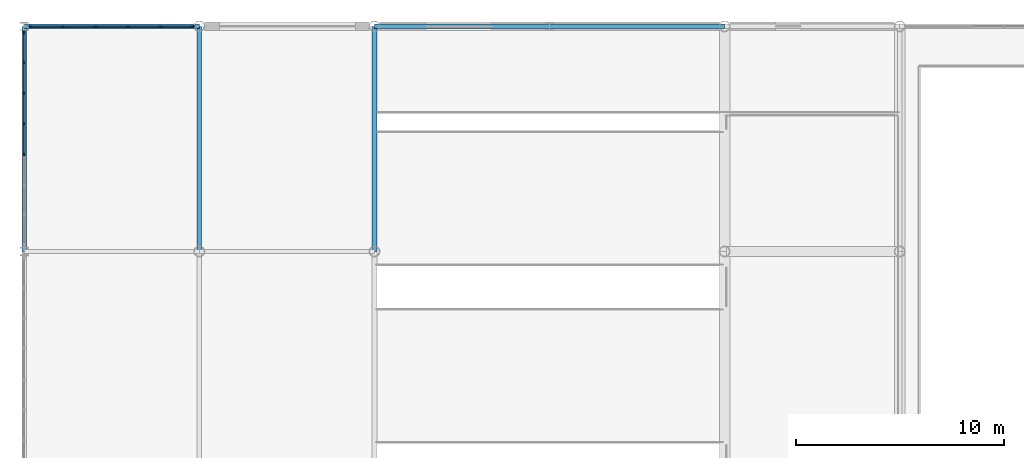
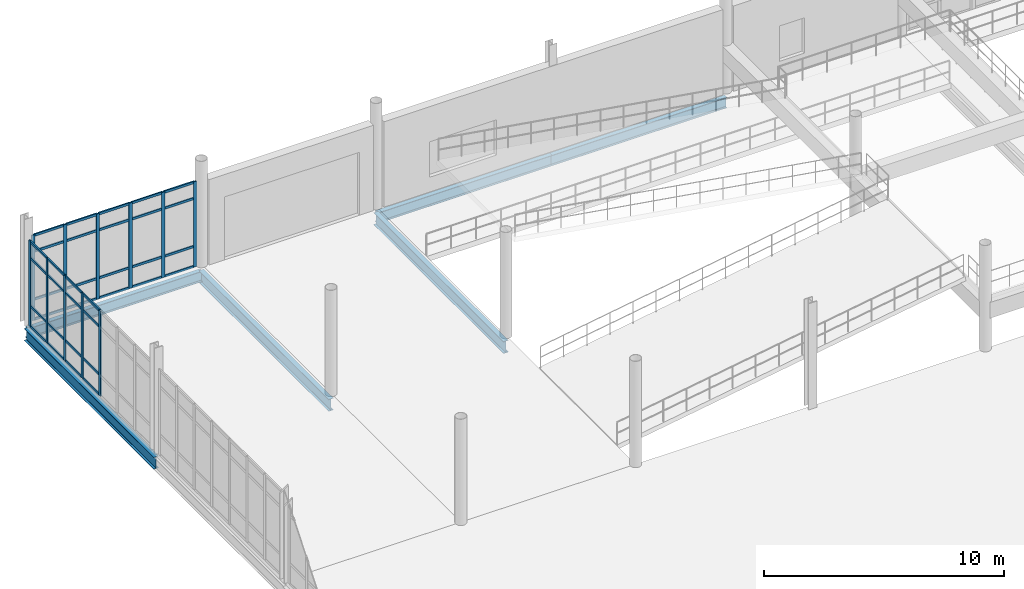
# One storey, part 51 of 111: 47 members, 6 beams, 2 elements without a shape of their own.
"""IFC4 building model written with IfcOpenShell, lengths in metres."""

from ifc_helpers import new_model, si_unit, direction, frame, origin, origin_2d, place, context, subcontext, project, spatial, rectangle, i_section, extrude, material, layer, layer_set, material_profile, profile_set, type_object, element, aggregate, save


model = new_model("IFC4")

# Units and contexts
model_context = context("Model", 3, precision=1e-05, world=origin(), true_north=direction((0.0, 1.0)))
body_context = subcontext(model_context, "Body", "Model", "MODEL_VIEW")
ifc_project = project(units=[si_unit("LENGTHUNIT", "METRE"), si_unit("AREAUNIT", "SQUARE_METRE"), si_unit("VOLUMEUNIT", "CUBIC_METRE"), si_unit("PLANEANGLEUNIT", "RADIAN"), si_unit("MASSUNIT", "GRAM", prefix="KILO"), si_unit("THERMODYNAMICTEMPERATUREUNIT", "KELVIN"), si_unit("POWERUNIT", "WATT")], contexts=[model_context])

# Site, building, storey
site_placement = place(None, origin())
site = spatial("IfcSite", under=ifc_project, at=site_placement, CompositionType="ELEMENT")
building_placement = place(site_placement, origin())
building = spatial("IfcBuilding", under=site, at=building_placement, Name="Tembeka Court Mobility Hub", CompositionType="ELEMENT")
storey_placement = place(building_placement, origin())
storey = spatial("IfcBuildingStorey", under=building, at=storey_placement, Name="L00", CompositionType="ELEMENT", Elevation=0.0)

# Beams
ifc_material_1 = material(Name="Steel S355", Category="steel")
ifc_material_profile_1 = material_profile(ifc_material_1, i_section(OverallWidth=0.22900390625, OverallDepth=0.612060546875, WebThickness=0.011962890625, FlangeThickness=0.01953125, FilletRadius=0.0126953125, at=origin_2d()), Name="UKB 610x229x125")
ifc_profile_set_1 = profile_set([ifc_material_profile_1], Name="Steel S355")
beam_type_1 = type_object("IfcBeamType", Name="BM-G02", PredefinedType="USERDEFINED", material=ifc_profile_set_1)
for number, where, z_axis, x_axis, name in (
    (1, (0.0, 108.0, -0.5859375), (0.0, 1.0, 0.0), (-1.0, 0.0, 0.0), "Beam G02 (BM-L00-Y0174)"),
    (2, (8.39990234375, 108.0, -0.5859375), (0.0, 1.0, 0.0), (-1.0, 0.0, 0.0), "Beam G02 (BM-L00-Y0185)"),
    (3, (16.800048828125, 108.0, -0.5859375), (0.0, 1.0, 0.0), (-1.0, 0.0, 0.0), "Beam G02 (BM-L00-Y0196)"),
):
    element("IfcBeam", number, at=place(storey_placement, frame(where, z_axis=z_axis, x_axis=x_axis)), inside=storey, type_object=beam_type_1, Name=name, ObjectType="GIRDER", PredefinedType="USERDEFINED", context=body_context, shape_type="SweptSolid", body=[
        extrude(i_section(OverallWidth=0.22900390625, OverallDepth=0.612060546875, WebThickness=0.011962890625, FlangeThickness=0.01953125, FilletRadius=0.0126953125, at=origin_2d()), origin(), (0.0, 0.0, 1.0), 10.800048828125),
    ])
ifc_material_profile_2 = material_profile(ifc_material_1, i_section(OverallWidth=0.2099609375, OverallDepth=0.537109375, WebThickness=0.0107421875, FlangeThickness=0.017333984375, FilletRadius=0.0126953125, at=origin_2d()), Name="UKB 533x210x101")
ifc_profile_set_2 = profile_set([ifc_material_profile_2], Name="Steel S355")
beam_type_2 = type_object("IfcBeamType", Name="BM-G03", PredefinedType="USERDEFINED", material=ifc_profile_set_2)
for number, where, z_axis, x_axis, name in (
    (4, (0.0, 118.800048828125, -0.548583984375), (1.0, 0.0, 0.0), (0.0, 1.0, 0.0), "Beam G03 (BM-L00-X0153)"),
    (5, (16.800048828125, 118.800048828125, -0.548583984375), (1.0, 0.0, 0.0), (0.0, 1.0, 0.0), "Beam G03 (BM-L00-X0154)"),
):
    element("IfcBeam", number, at=place(storey_placement, frame(where, z_axis=z_axis, x_axis=x_axis)), inside=storey, type_object=beam_type_2, Name=name, ObjectType="GIRDER", PredefinedType="USERDEFINED", context=body_context, shape_type="SweptSolid", body=[
        extrude(i_section(OverallWidth=0.2099609375, OverallDepth=0.537109375, WebThickness=0.0107421875, FlangeThickness=0.017333984375, FilletRadius=0.0126953125, at=origin_2d()), origin(), (0.0, 0.0, 1.0), 8.39990234375),
    ])
beam_placement = place(storey_placement, frame((25.199951171875, 118.800048828125, -0.548583984375), z_axis=(1.0, 0.0, 0.0), x_axis=(0.0, 1.0, 0.0)))
element("IfcBeam", 6, at=beam_placement, inside=storey, type_object=beam_type_2, Name="Beam G03 (BM-L00-X0155)", ObjectType="GIRDER", PredefinedType="USERDEFINED", context=body_context, shape_type="SweptSolid", body=[
    extrude(i_section(OverallWidth=0.2099609375, OverallDepth=0.537109375, WebThickness=0.0107421875, FlangeThickness=0.017333984375, FilletRadius=0.0126953125, at=origin_2d()), origin(), (0.0, 0.0, 1.0), 8.400146484375),
])

# Curtain wall, members
ifc_material_2 = material(Name="Anodised aluminium 6063-T6", Category="aluminium")
ifc_layer_1 = layer(ifc_material_2, 0.159912109375)
ifc_layer_set_1 = layer_set([ifc_layer_1], Name="Anodised aluminium 6063-T6")
curtain_wall_type_1 = type_object("IfcCurtainWallType", Name="CW-SYS01", PredefinedType="USERDEFINED", material=ifc_layer_set_1)
curtain_wall_1_placement = place(storey_placement, origin())
curtain_wall_1 = element("IfcCurtainWall", 7, at=curtain_wall_1_placement, inside=storey, type_object=curtain_wall_type_1, Name="Unitised curtain wall CW01 (CW-L00-011)", ObjectType="UNITISED GLAZING", PredefinedType="USERDEFINED")
ifc_material_profile_3 = material_profile(ifc_material_2, rectangle(XDim=0.06494140625, YDim=0.159912109375, at=origin_2d()), Name="ALU-MUL 65x160")
ifc_profile_set_3 = profile_set([ifc_material_profile_3], Name="Anodised aluminium 6063-T6")
member_type_1 = type_object("IfcMemberType", Name="CW-MUL01", PredefinedType="MULLION", material=ifc_profile_set_3)
member_1_placement = place(storey_placement, frame((0.3125, 118.800048828125, 0.0), z_axis=(0.0, 0.0, 1.0), x_axis=(0.0, 1.0, 0.0)))
member_1 = element("IfcMember", 8, at=member_1_placement, type_object=member_type_1, Name="CW01 mullion 1", PredefinedType="MULLION", context=body_context, shape_type="SweptSolid", body=[
    extrude(rectangle(XDim=0.06494140625, YDim=0.159912109375, at=origin_2d()), origin(), (0.0, 0.0, 1.0), 4.3349609375),
])
member_2_placement = place(storey_placement, frame((1.847900390625, 118.800048828125, 0.0), z_axis=(0.0, 0.0, 1.0), x_axis=(0.0, 1.0, 0.0)))
member_2 = element("IfcMember", 9, at=member_2_placement, type_object=member_type_1, Name="CW01 mullion 2", PredefinedType="MULLION", context=body_context, shape_type="SweptSolid", body=[
    extrude(rectangle(XDim=0.06494140625, YDim=0.159912109375, at=origin_2d()), origin(), (0.0, 0.0, 1.0), 4.3349609375),
])
member_3_placement = place(storey_placement, frame((3.416015625, 118.800048828125, 0.0), z_axis=(0.0, 0.0, 1.0), x_axis=(0.0, 1.0, 0.0)))
member_3 = element("IfcMember", 10, at=member_3_placement, type_object=member_type_1, Name="CW01 mullion 3", PredefinedType="MULLION", context=body_context, shape_type="SweptSolid", body=[
    extrude(rectangle(XDim=0.06494140625, YDim=0.159912109375, at=origin_2d()), origin(), (0.0, 0.0, 1.0), 4.3349609375),
])
member_4_placement = place(storey_placement, frame((4.98388671875, 118.800048828125, 0.0), z_axis=(0.0, 0.0, 1.0), x_axis=(0.0, 1.0, 0.0)))
member_4 = element("IfcMember", 11, at=member_4_placement, type_object=member_type_1, Name="CW01 mullion 4", PredefinedType="MULLION", context=body_context, shape_type="SweptSolid", body=[
    extrude(rectangle(XDim=0.06494140625, YDim=0.159912109375, at=origin_2d()), origin(), (0.0, 0.0, 1.0), 4.3349609375),
])
member_5_placement = place(storey_placement, frame((6.552001953125, 118.800048828125, 0.0), z_axis=(0.0, 0.0, 1.0), x_axis=(0.0, 1.0, 0.0)))
member_5 = element("IfcMember", 12, at=member_5_placement, type_object=member_type_1, Name="CW01 mullion 5", PredefinedType="MULLION", context=body_context, shape_type="SweptSolid", body=[
    extrude(rectangle(XDim=0.06494140625, YDim=0.159912109375, at=origin_2d()), origin(), (0.0, 0.0, 1.0), 4.3349609375),
])
member_6_placement = place(storey_placement, frame((8.08740234375, 118.800048828125, 0.0), z_axis=(0.0, 0.0, 1.0), x_axis=(0.0, 1.0, 0.0)))
member_6 = element("IfcMember", 13, at=member_6_placement, type_object=member_type_1, Name="CW01 mullion 6", PredefinedType="MULLION", context=body_context, shape_type="SweptSolid", body=[
    extrude(rectangle(XDim=0.06494140625, YDim=0.159912109375, at=origin_2d()), origin(), (0.0, 0.0, 1.0), 4.3349609375),
])

ifc_layer_2 = layer(ifc_material_2, 0.159912109375)
ifc_layer_set_2 = layer_set([ifc_layer_2], Name="Anodised aluminium 6063-T6")
curtain_wall_type_2 = type_object("IfcCurtainWallType", Name="CW-SYS18", PredefinedType="USERDEFINED", material=ifc_layer_set_2)
curtain_wall_2_placement = place(storey_placement, origin())
curtain_wall_2 = element("IfcCurtainWall", 14, at=curtain_wall_2_placement, inside=storey, type_object=curtain_wall_type_2, Name="Unitised curtain wall CW18 (CW-L00-033)", ObjectType="UNITISED GLAZING", PredefinedType="USERDEFINED")
member_7_placement = place(storey_placement, frame((0.0, 112.66845703125, 0.0), z_axis=(0.0, 0.0, 1.0), x_axis=(-1.0, 0.0, 0.0)))
member_7 = element("IfcMember", 15, at=member_7_placement, type_object=member_type_1, Name="CW18 mullion 4", PredefinedType="MULLION", context=body_context, shape_type="SweptSolid", body=[
    extrude(rectangle(XDim=0.06494140625, YDim=0.159912109375, at=origin_2d()), origin(), (0.0, 0.0, 1.0), 4.3349609375),
])
member_8_placement = place(storey_placement, frame((0.0, 114.13134765625, 0.0), z_axis=(0.0, 0.0, 1.0), x_axis=(-1.0, 0.0, 0.0)))
member_8 = element("IfcMember", 16, at=member_8_placement, type_object=member_type_1, Name="CW18 mullion 5", PredefinedType="MULLION", context=body_context, shape_type="SweptSolid", body=[
    extrude(rectangle(XDim=0.06494140625, YDim=0.159912109375, at=origin_2d()), origin(), (0.0, 0.0, 1.0), 4.3349609375),
])
member_9_placement = place(storey_placement, frame((0.0, 115.59423828125, 0.0), z_axis=(0.0, 0.0, 1.0), x_axis=(-1.0, 0.0, 0.0)))
member_9 = element("IfcMember", 17, at=member_9_placement, type_object=member_type_1, Name="CW18 mullion 6", PredefinedType="MULLION", context=body_context, shape_type="SweptSolid", body=[
    extrude(rectangle(XDim=0.06494140625, YDim=0.159912109375, at=origin_2d()), origin(), (0.0, 0.0, 1.0), 4.3349609375),
])
member_10_placement = place(storey_placement, frame((0.0, 117.05712890625, 0.0), z_axis=(0.0, 0.0, 1.0), x_axis=(-1.0, 0.0, 0.0)))
member_10 = element("IfcMember", 18, at=member_10_placement, type_object=member_type_1, Name="CW18 mullion 7", PredefinedType="MULLION", context=body_context, shape_type="SweptSolid", body=[
    extrude(rectangle(XDim=0.06494140625, YDim=0.159912109375, at=origin_2d()), origin(), (0.0, 0.0, 1.0), 4.3349609375),
])
member_11_placement = place(storey_placement, frame((0.0, 118.487548828125, 0.0), z_axis=(0.0, 0.0, 1.0), x_axis=(-1.0, 0.0, 0.0)))
member_11 = element("IfcMember", 19, at=member_11_placement, type_object=member_type_1, Name="CW18 mullion 8", PredefinedType="MULLION", context=body_context, shape_type="SweptSolid", body=[
    extrude(rectangle(XDim=0.06494140625, YDim=0.159912109375, at=origin_2d()), origin(), (0.0, 0.0, 1.0), 4.3349609375),
])

# Member
ifc_material_profile_4 = material_profile(ifc_material_2, rectangle(XDim=0.06494140625, YDim=0.1201171875, at=origin_2d()), Name="ALU-TRN 65x120")
ifc_profile_set_4 = profile_set([ifc_material_profile_4], Name="Anodised aluminium 6063-T6")
member_type_2 = type_object("IfcMemberType", Name="CW-TRN01", PredefinedType="USERDEFINED", material=ifc_profile_set_4)
member_12_placement = place(storey_placement, frame((0.344970703125, 118.800048828125, 0.032470703125), z_axis=(1.0, 0.0, 0.0), x_axis=(0.0, 1.0, 0.0)))
member_12 = element("IfcMember", 20, at=member_12_placement, type_object=member_type_2, Name="CW01 transom 1.1", ObjectType="TRANSOM", PredefinedType="USERDEFINED", context=body_context, shape_type="SweptSolid", body=[
    extrude(rectangle(XDim=0.06494140625, YDim=0.1201171875, at=origin_2d()), origin(), (0.0, 0.0, 1.0), 1.470458984375),
])

member_13_placement = place(storey_placement, frame((0.344970703125, 118.800048828125, 1.050048828125), z_axis=(1.0, 0.0, 0.0), x_axis=(0.0, 1.0, 0.0)))
member_13 = element("IfcMember", 21, at=member_13_placement, type_object=member_type_2, Name="CW01 transom 1.2", ObjectType="TRANSOM", PredefinedType="USERDEFINED", context=body_context, shape_type="SweptSolid", body=[
    extrude(rectangle(XDim=0.06494140625, YDim=0.1201171875, at=origin_2d()), origin(), (0.0, 0.0, 1.0), 1.470458984375),
])

member_14_placement = place(storey_placement, frame((0.344970703125, 118.800048828125, 3.485107421875), z_axis=(1.0, 0.0, 0.0), x_axis=(0.0, 1.0, 0.0)))
member_14 = element("IfcMember", 22, at=member_14_placement, type_object=member_type_2, Name="CW01 transom 1.3", ObjectType="TRANSOM", PredefinedType="USERDEFINED", context=body_context, shape_type="SweptSolid", body=[
    extrude(rectangle(XDim=0.06494140625, YDim=0.1201171875, at=origin_2d()), origin(), (0.0, 0.0, 1.0), 1.470458984375),
])

member_15_placement = place(storey_placement, frame((0.344970703125, 118.800048828125, 4.302490234375), z_axis=(1.0, 0.0, 0.0), x_axis=(0.0, 1.0, 0.0)))
member_15 = element("IfcMember", 23, at=member_15_placement, type_object=member_type_2, Name="CW01 transom 1.4", ObjectType="TRANSOM", PredefinedType="USERDEFINED", context=body_context, shape_type="SweptSolid", body=[
    extrude(rectangle(XDim=0.06494140625, YDim=0.1201171875, at=origin_2d()), origin(), (0.0, 0.0, 1.0), 1.470458984375),
])

member_16_placement = place(storey_placement, frame((1.880615234375, 118.800048828125, 0.032470703125), z_axis=(1.0, 0.0, 0.0), x_axis=(0.0, 1.0, 0.0)))
member_16 = element("IfcMember", 24, at=member_16_placement, type_object=member_type_2, Name="CW01 transom 2.1", ObjectType="TRANSOM", PredefinedType="USERDEFINED", context=body_context, shape_type="SweptSolid", body=[
    extrude(rectangle(XDim=0.06494140625, YDim=0.1201171875, at=origin_2d()), origin(), (0.0, 0.0, 1.0), 1.5029296875),
])

member_17_placement = place(storey_placement, frame((1.880615234375, 118.800048828125, 1.050048828125), z_axis=(1.0, 0.0, 0.0), x_axis=(0.0, 1.0, 0.0)))
member_17 = element("IfcMember", 25, at=member_17_placement, type_object=member_type_2, Name="CW01 transom 2.2", ObjectType="TRANSOM", PredefinedType="USERDEFINED", context=body_context, shape_type="SweptSolid", body=[
    extrude(rectangle(XDim=0.06494140625, YDim=0.1201171875, at=origin_2d()), origin(), (0.0, 0.0, 1.0), 1.5029296875),
])

member_18_placement = place(storey_placement, frame((1.880615234375, 118.800048828125, 3.485107421875), z_axis=(1.0, 0.0, 0.0), x_axis=(0.0, 1.0, 0.0)))
member_18 = element("IfcMember", 26, at=member_18_placement, type_object=member_type_2, Name="CW01 transom 2.3", ObjectType="TRANSOM", PredefinedType="USERDEFINED", context=body_context, shape_type="SweptSolid", body=[
    extrude(rectangle(XDim=0.06494140625, YDim=0.1201171875, at=origin_2d()), origin(), (0.0, 0.0, 1.0), 1.5029296875),
])

member_19_placement = place(storey_placement, frame((1.880615234375, 118.800048828125, 4.302490234375), z_axis=(1.0, 0.0, 0.0), x_axis=(0.0, 1.0, 0.0)))
member_19 = element("IfcMember", 27, at=member_19_placement, type_object=member_type_2, Name="CW01 transom 2.4", ObjectType="TRANSOM", PredefinedType="USERDEFINED", context=body_context, shape_type="SweptSolid", body=[
    extrude(rectangle(XDim=0.06494140625, YDim=0.1201171875, at=origin_2d()), origin(), (0.0, 0.0, 1.0), 1.5029296875),
])

member_20_placement = place(storey_placement, frame((3.448486328125, 118.800048828125, 0.032470703125), z_axis=(1.0, 0.0, 0.0), x_axis=(0.0, 1.0, 0.0)))
member_20 = element("IfcMember", 28, at=member_20_placement, type_object=member_type_2, Name="CW01 transom 3.1", ObjectType="TRANSOM", PredefinedType="USERDEFINED", context=body_context, shape_type="SweptSolid", body=[
    extrude(rectangle(XDim=0.06494140625, YDim=0.1201171875, at=origin_2d()), origin(), (0.0, 0.0, 1.0), 1.5029296875),
])

member_21_placement = place(storey_placement, frame((3.448486328125, 118.800048828125, 1.050048828125), z_axis=(1.0, 0.0, 0.0), x_axis=(0.0, 1.0, 0.0)))
member_21 = element("IfcMember", 29, at=member_21_placement, type_object=member_type_2, Name="CW01 transom 3.2", ObjectType="TRANSOM", PredefinedType="USERDEFINED", context=body_context, shape_type="SweptSolid", body=[
    extrude(rectangle(XDim=0.06494140625, YDim=0.1201171875, at=origin_2d()), origin(), (0.0, 0.0, 1.0), 1.5029296875),
])

member_22_placement = place(storey_placement, frame((3.448486328125, 118.800048828125, 3.485107421875), z_axis=(1.0, 0.0, 0.0), x_axis=(0.0, 1.0, 0.0)))
member_22 = element("IfcMember", 30, at=member_22_placement, type_object=member_type_2, Name="CW01 transom 3.3", ObjectType="TRANSOM", PredefinedType="USERDEFINED", context=body_context, shape_type="SweptSolid", body=[
    extrude(rectangle(XDim=0.06494140625, YDim=0.1201171875, at=origin_2d()), origin(), (0.0, 0.0, 1.0), 1.5029296875),
])

member_23_placement = place(storey_placement, frame((3.448486328125, 118.800048828125, 4.302490234375), z_axis=(1.0, 0.0, 0.0), x_axis=(0.0, 1.0, 0.0)))
member_23 = element("IfcMember", 31, at=member_23_placement, type_object=member_type_2, Name="CW01 transom 3.4", ObjectType="TRANSOM", PredefinedType="USERDEFINED", context=body_context, shape_type="SweptSolid", body=[
    extrude(rectangle(XDim=0.06494140625, YDim=0.1201171875, at=origin_2d()), origin(), (0.0, 0.0, 1.0), 1.5029296875),
])

member_24_placement = place(storey_placement, frame((5.0166015625, 118.800048828125, 0.032470703125), z_axis=(1.0, 0.0, 0.0), x_axis=(0.0, 1.0, 0.0)))
member_24 = element("IfcMember", 32, at=member_24_placement, type_object=member_type_2, Name="CW01 transom 4.1", ObjectType="TRANSOM", PredefinedType="USERDEFINED", context=body_context, shape_type="SweptSolid", body=[
    extrude(rectangle(XDim=0.06494140625, YDim=0.1201171875, at=origin_2d()), origin(), (0.0, 0.0, 1.0), 1.5029296875),
])

member_25_placement = place(storey_placement, frame((5.0166015625, 118.800048828125, 1.050048828125), z_axis=(1.0, 0.0, 0.0), x_axis=(0.0, 1.0, 0.0)))
member_25 = element("IfcMember", 33, at=member_25_placement, type_object=member_type_2, Name="CW01 transom 4.2", ObjectType="TRANSOM", PredefinedType="USERDEFINED", context=body_context, shape_type="SweptSolid", body=[
    extrude(rectangle(XDim=0.06494140625, YDim=0.1201171875, at=origin_2d()), origin(), (0.0, 0.0, 1.0), 1.5029296875),
])

member_26_placement = place(storey_placement, frame((5.0166015625, 118.800048828125, 3.485107421875), z_axis=(1.0, 0.0, 0.0), x_axis=(0.0, 1.0, 0.0)))
member_26 = element("IfcMember", 34, at=member_26_placement, type_object=member_type_2, Name="CW01 transom 4.3", ObjectType="TRANSOM", PredefinedType="USERDEFINED", context=body_context, shape_type="SweptSolid", body=[
    extrude(rectangle(XDim=0.06494140625, YDim=0.1201171875, at=origin_2d()), origin(), (0.0, 0.0, 1.0), 1.5029296875),
])

member_27_placement = place(storey_placement, frame((5.0166015625, 118.800048828125, 4.302490234375), z_axis=(1.0, 0.0, 0.0), x_axis=(0.0, 1.0, 0.0)))
member_27 = element("IfcMember", 35, at=member_27_placement, type_object=member_type_2, Name="CW01 transom 4.4", ObjectType="TRANSOM", PredefinedType="USERDEFINED", context=body_context, shape_type="SweptSolid", body=[
    extrude(rectangle(XDim=0.06494140625, YDim=0.1201171875, at=origin_2d()), origin(), (0.0, 0.0, 1.0), 1.5029296875),
])

member_28_placement = place(storey_placement, frame((6.58447265625, 118.800048828125, 0.032470703125), z_axis=(1.0, 0.0, 0.0), x_axis=(0.0, 1.0, 0.0)))
member_28 = element("IfcMember", 36, at=member_28_placement, type_object=member_type_2, Name="CW01 transom 5.1", ObjectType="TRANSOM", PredefinedType="USERDEFINED", context=body_context, shape_type="SweptSolid", body=[
    extrude(rectangle(XDim=0.06494140625, YDim=0.1201171875, at=origin_2d()), origin(), (0.0, 0.0, 1.0), 1.470458984375),
])

member_29_placement = place(storey_placement, frame((6.58447265625, 118.800048828125, 1.050048828125), z_axis=(1.0, 0.0, 0.0), x_axis=(0.0, 1.0, 0.0)))
member_29 = element("IfcMember", 37, at=member_29_placement, type_object=member_type_2, Name="CW01 transom 5.2", ObjectType="TRANSOM", PredefinedType="USERDEFINED", context=body_context, shape_type="SweptSolid", body=[
    extrude(rectangle(XDim=0.06494140625, YDim=0.1201171875, at=origin_2d()), origin(), (0.0, 0.0, 1.0), 1.470458984375),
])

member_30_placement = place(storey_placement, frame((6.58447265625, 118.800048828125, 3.485107421875), z_axis=(1.0, 0.0, 0.0), x_axis=(0.0, 1.0, 0.0)))
member_30 = element("IfcMember", 38, at=member_30_placement, type_object=member_type_2, Name="CW01 transom 5.3", ObjectType="TRANSOM", PredefinedType="USERDEFINED", context=body_context, shape_type="SweptSolid", body=[
    extrude(rectangle(XDim=0.06494140625, YDim=0.1201171875, at=origin_2d()), origin(), (0.0, 0.0, 1.0), 1.470458984375),
])

member_31_placement = place(storey_placement, frame((6.58447265625, 118.800048828125, 4.302490234375), z_axis=(1.0, 0.0, 0.0), x_axis=(0.0, 1.0, 0.0)))
member_31 = element("IfcMember", 39, at=member_31_placement, type_object=member_type_2, Name="CW01 transom 5.4", ObjectType="TRANSOM", PredefinedType="USERDEFINED", context=body_context, shape_type="SweptSolid", body=[
    extrude(rectangle(XDim=0.06494140625, YDim=0.1201171875, at=origin_2d()), origin(), (0.0, 0.0, 1.0), 1.470458984375),
])

aggregate(curtain_wall_1, [member_1, member_2, member_3, member_4, member_5, member_6, member_12, member_13, member_14, member_15, member_16, member_17, member_18, member_19, member_20, member_21, member_22, member_23, member_24, member_25, member_26, member_27, member_28, member_29, member_30, member_31])

member_32_placement = place(storey_placement, frame((0.0, 112.701171875, 0.032470703125), z_axis=(0.0, 1.0, 0.0), x_axis=(-1.0, 0.0, 0.0)))
member_32 = element("IfcMember", 40, at=member_32_placement, type_object=member_type_2, Name="CW18 transom 4.1", ObjectType="TRANSOM", PredefinedType="USERDEFINED", context=body_context, shape_type="SweptSolid", body=[
    extrude(rectangle(XDim=0.06494140625, YDim=0.1201171875, at=origin_2d()), origin(), (0.0, 0.0, 1.0), 1.397705078125),
])

member_33_placement = place(storey_placement, frame((0.0, 112.701171875, 1.050048828125), z_axis=(0.0, 1.0, 0.0), x_axis=(-1.0, 0.0, 0.0)))
member_33 = element("IfcMember", 41, at=member_33_placement, type_object=member_type_2, Name="CW18 transom 4.2", ObjectType="TRANSOM", PredefinedType="USERDEFINED", context=body_context, shape_type="SweptSolid", body=[
    extrude(rectangle(XDim=0.06494140625, YDim=0.1201171875, at=origin_2d()), origin(), (0.0, 0.0, 1.0), 1.397705078125),
])

member_34_placement = place(storey_placement, frame((0.0, 112.701171875, 3.485107421875), z_axis=(0.0, 1.0, 0.0), x_axis=(-1.0, 0.0, 0.0)))
member_34 = element("IfcMember", 42, at=member_34_placement, type_object=member_type_2, Name="CW18 transom 4.3", ObjectType="TRANSOM", PredefinedType="USERDEFINED", context=body_context, shape_type="SweptSolid", body=[
    extrude(rectangle(XDim=0.06494140625, YDim=0.1201171875, at=origin_2d()), origin(), (0.0, 0.0, 1.0), 1.397705078125),
])

member_35_placement = place(storey_placement, frame((0.0, 112.701171875, 4.302490234375), z_axis=(0.0, 1.0, 0.0), x_axis=(-1.0, 0.0, 0.0)))
member_35 = element("IfcMember", 43, at=member_35_placement, type_object=member_type_2, Name="CW18 transom 4.4", ObjectType="TRANSOM", PredefinedType="USERDEFINED", context=body_context, shape_type="SweptSolid", body=[
    extrude(rectangle(XDim=0.06494140625, YDim=0.1201171875, at=origin_2d()), origin(), (0.0, 0.0, 1.0), 1.397705078125),
])

member_36_placement = place(storey_placement, frame((0.0, 114.163818359375, 0.032470703125), z_axis=(0.0, 1.0, 0.0), x_axis=(-1.0, 0.0, 0.0)))
member_36 = element("IfcMember", 44, at=member_36_placement, type_object=member_type_2, Name="CW18 transom 5.1", ObjectType="TRANSOM", PredefinedType="USERDEFINED", context=body_context, shape_type="SweptSolid", body=[
    extrude(rectangle(XDim=0.06494140625, YDim=0.1201171875, at=origin_2d()), origin(), (0.0, 0.0, 1.0), 1.39794921875),
])

member_37_placement = place(storey_placement, frame((0.0, 114.163818359375, 1.050048828125), z_axis=(0.0, 1.0, 0.0), x_axis=(-1.0, 0.0, 0.0)))
member_37 = element("IfcMember", 45, at=member_37_placement, type_object=member_type_2, Name="CW18 transom 5.2", ObjectType="TRANSOM", PredefinedType="USERDEFINED", context=body_context, shape_type="SweptSolid", body=[
    extrude(rectangle(XDim=0.06494140625, YDim=0.1201171875, at=origin_2d()), origin(), (0.0, 0.0, 1.0), 1.39794921875),
])

member_38_placement = place(storey_placement, frame((0.0, 114.163818359375, 3.485107421875), z_axis=(0.0, 1.0, 0.0), x_axis=(-1.0, 0.0, 0.0)))
member_38 = element("IfcMember", 46, at=member_38_placement, type_object=member_type_2, Name="CW18 transom 5.3", ObjectType="TRANSOM", PredefinedType="USERDEFINED", context=body_context, shape_type="SweptSolid", body=[
    extrude(rectangle(XDim=0.06494140625, YDim=0.1201171875, at=origin_2d()), origin(), (0.0, 0.0, 1.0), 1.39794921875),
])

member_39_placement = place(storey_placement, frame((0.0, 114.163818359375, 4.302490234375), z_axis=(0.0, 1.0, 0.0), x_axis=(-1.0, 0.0, 0.0)))
member_39 = element("IfcMember", 47, at=member_39_placement, type_object=member_type_2, Name="CW18 transom 5.4", ObjectType="TRANSOM", PredefinedType="USERDEFINED", context=body_context, shape_type="SweptSolid", body=[
    extrude(rectangle(XDim=0.06494140625, YDim=0.1201171875, at=origin_2d()), origin(), (0.0, 0.0, 1.0), 1.39794921875),
])

member_40_placement = place(storey_placement, frame((0.0, 115.626708984375, 0.032470703125), z_axis=(0.0, 1.0, 0.0), x_axis=(-1.0, 0.0, 0.0)))
member_40 = element("IfcMember", 48, at=member_40_placement, type_object=member_type_2, Name="CW18 transom 6.1", ObjectType="TRANSOM", PredefinedType="USERDEFINED", context=body_context, shape_type="SweptSolid", body=[
    extrude(rectangle(XDim=0.06494140625, YDim=0.1201171875, at=origin_2d()), origin(), (0.0, 0.0, 1.0), 1.39794921875),
])

member_41_placement = place(storey_placement, frame((0.0, 115.626708984375, 1.050048828125), z_axis=(0.0, 1.0, 0.0), x_axis=(-1.0, 0.0, 0.0)))
member_41 = element("IfcMember", 49, at=member_41_placement, type_object=member_type_2, Name="CW18 transom 6.2", ObjectType="TRANSOM", PredefinedType="USERDEFINED", context=body_context, shape_type="SweptSolid", body=[
    extrude(rectangle(XDim=0.06494140625, YDim=0.1201171875, at=origin_2d()), origin(), (0.0, 0.0, 1.0), 1.39794921875),
])

member_42_placement = place(storey_placement, frame((0.0, 115.626708984375, 3.485107421875), z_axis=(0.0, 1.0, 0.0), x_axis=(-1.0, 0.0, 0.0)))
member_42 = element("IfcMember", 50, at=member_42_placement, type_object=member_type_2, Name="CW18 transom 6.3", ObjectType="TRANSOM", PredefinedType="USERDEFINED", context=body_context, shape_type="SweptSolid", body=[
    extrude(rectangle(XDim=0.06494140625, YDim=0.1201171875, at=origin_2d()), origin(), (0.0, 0.0, 1.0), 1.39794921875),
])

member_43_placement = place(storey_placement, frame((0.0, 115.626708984375, 4.302490234375), z_axis=(0.0, 1.0, 0.0), x_axis=(-1.0, 0.0, 0.0)))
member_43 = element("IfcMember", 51, at=member_43_placement, type_object=member_type_2, Name="CW18 transom 6.4", ObjectType="TRANSOM", PredefinedType="USERDEFINED", context=body_context, shape_type="SweptSolid", body=[
    extrude(rectangle(XDim=0.06494140625, YDim=0.1201171875, at=origin_2d()), origin(), (0.0, 0.0, 1.0), 1.39794921875),
])

member_44_placement = place(storey_placement, frame((0.0, 117.089599609375, 0.032470703125), z_axis=(0.0, 1.0, 0.0), x_axis=(-1.0, 0.0, 0.0)))
member_44 = element("IfcMember", 52, at=member_44_placement, type_object=member_type_2, Name="CW18 transom 7.1", ObjectType="TRANSOM", PredefinedType="USERDEFINED", context=body_context, shape_type="SweptSolid", body=[
    extrude(rectangle(XDim=0.06494140625, YDim=0.1201171875, at=origin_2d()), origin(), (0.0, 0.0, 1.0), 1.365478515625),
])

member_45_placement = place(storey_placement, frame((0.0, 117.089599609375, 1.050048828125), z_axis=(0.0, 1.0, 0.0), x_axis=(-1.0, 0.0, 0.0)))
member_45 = element("IfcMember", 53, at=member_45_placement, type_object=member_type_2, Name="CW18 transom 7.2", ObjectType="TRANSOM", PredefinedType="USERDEFINED", context=body_context, shape_type="SweptSolid", body=[
    extrude(rectangle(XDim=0.06494140625, YDim=0.1201171875, at=origin_2d()), origin(), (0.0, 0.0, 1.0), 1.365478515625),
])

member_46_placement = place(storey_placement, frame((0.0, 117.089599609375, 3.485107421875), z_axis=(0.0, 1.0, 0.0), x_axis=(-1.0, 0.0, 0.0)))
member_46 = element("IfcMember", 54, at=member_46_placement, type_object=member_type_2, Name="CW18 transom 7.3", ObjectType="TRANSOM", PredefinedType="USERDEFINED", context=body_context, shape_type="SweptSolid", body=[
    extrude(rectangle(XDim=0.06494140625, YDim=0.1201171875, at=origin_2d()), origin(), (0.0, 0.0, 1.0), 1.365478515625),
])

member_47_placement = place(storey_placement, frame((0.0, 117.089599609375, 4.302490234375), z_axis=(0.0, 1.0, 0.0), x_axis=(-1.0, 0.0, 0.0)))
member_47 = element("IfcMember", 55, at=member_47_placement, type_object=member_type_2, Name="CW18 transom 7.4", ObjectType="TRANSOM", PredefinedType="USERDEFINED", context=body_context, shape_type="SweptSolid", body=[
    extrude(rectangle(XDim=0.06494140625, YDim=0.1201171875, at=origin_2d()), origin(), (0.0, 0.0, 1.0), 1.365478515625),
])

aggregate(curtain_wall_2, [member_7, member_8, member_9, member_10, member_11, member_32, member_33, member_34, member_35, member_36, member_37, member_38, member_39, member_40, member_41, member_42, member_43, member_44, member_45, member_46, member_47])

save(model, "model.ifc")
